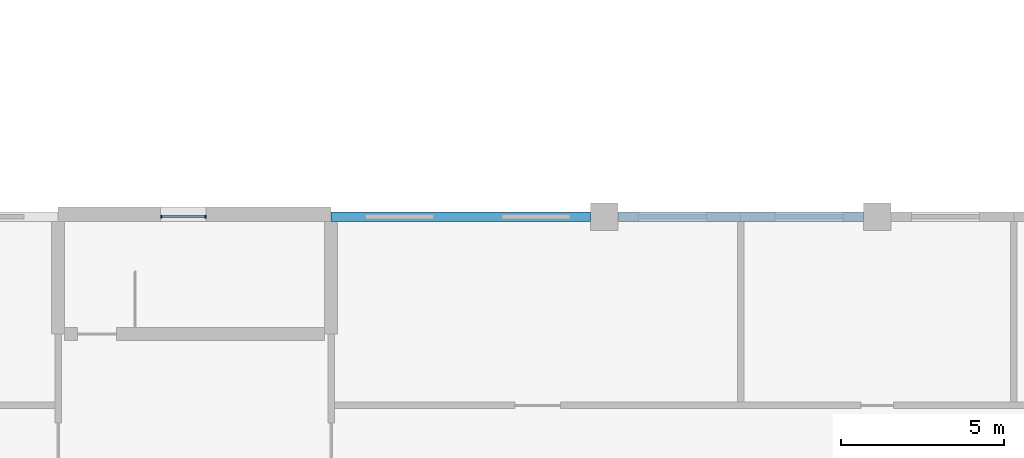
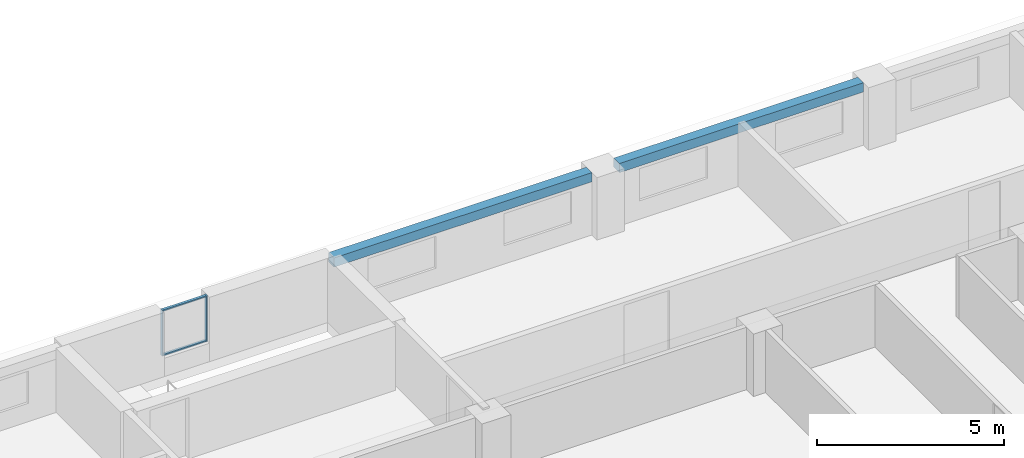
# One storey, part 7 of 48: 4 members, 2 beams, 1 element without a shape of its own.
"""IFC4 building model written with IfcOpenShell, lengths in metres."""

from ifc_helpers import new_model, si_unit, direction, frame, origin, origin_2d, place, context, subcontext, project, spatial, rectangle, extrude, material, material_profile, profile_set, type_object, element, aggregate, save


model = new_model("IFC4")

# Units and contexts
model_context = context("Model", 3, precision=1e-05, world=origin(), true_north=direction((0.0, 1.0)))
body_context = subcontext(model_context, "Body", "Model", "MODEL_VIEW")
ifc_project = project(units=[si_unit("LENGTHUNIT", "METRE"), si_unit("AREAUNIT", "SQUARE_METRE"), si_unit("VOLUMEUNIT", "CUBIC_METRE"), si_unit("PLANEANGLEUNIT", "RADIAN"), si_unit("MASSUNIT", "GRAM", prefix="KILO")], contexts=[model_context])

# Site, building, storey
site_placement = place(None, origin())
site = spatial("IfcSite", under=ifc_project, at=site_placement, CompositionType="ELEMENT")
building_placement = place(site_placement, origin())
building = spatial("IfcBuilding", under=site, at=building_placement, Name="Yavir Park General Hospital", CompositionType="ELEMENT")
storey_placement = place(building_placement, frame((0.0, 0.0, 12.89990234375)))
storey = spatial("IfcBuildingStorey", under=building, at=storey_placement, Name="I02", CompositionType="ELEMENT", Elevation=12.89990234375)

# Beams
ifc_material_1 = material(Name="Concrete C35/45", Category="concrete")
ifc_material_profile_1 = material_profile(ifc_material_1, rectangle(XDim=0.300048828125, YDim=0.300048828125, at=origin_2d()), Name="RC300x300")
ifc_profile_set_1 = profile_set([ifc_material_profile_1], Name="Concrete C35/45")
beam_type = type_object("IfcBeamType", Name="RC BEAM 300x300 edge beam", PredefinedType="BEAM", material=ifc_profile_set_1)
beam_1_placement = place(storey_placement, frame((42.0, 33.60009765625, 1.89013671875), z_axis=(1.0, 0.0, 0.0), x_axis=(0.0, 1.0, 0.0)))
element("IfcBeam", 1, at=beam_1_placement, inside=storey, type_object=beam_type, Name="B:EDGE:I02:017", PredefinedType="BEAM", context=body_context, shape_type="SweptSolid", body=[
    extrude(rectangle(XDim=0.300048828125, YDim=0.300048828125, at=origin_2d()), origin(), (0.0, 0.0, 1.0), 7.97509765625),
])
beam_2_placement = place(storey_placement, frame((50.824951171875, 33.60009765625, 1.89013671875), z_axis=(1.0, 0.0, 0.0), x_axis=(0.0, 1.0, 0.0)))
element("IfcBeam", 2, at=beam_2_placement, inside=storey, type_object=beam_type, Name="B:EDGE:I02:018", PredefinedType="BEAM", context=body_context, shape_type="SweptSolid", body=[
    extrude(rectangle(XDim=0.300048828125, YDim=0.300048828125, at=origin_2d()), origin(), (0.0, 0.0, 1.0), 7.550048828125),
])

# Curtain wall, members
ifc_material_2 = material(Name="Aluminium curtain wall frame with insulated glazing", Category="aluminium")
curtain_wall_type = type_object("IfcCurtainWallType", Name="Stair light slot, interstitial floor, 1500 high, 1400 module", PredefinedType="NOTDEFINED", material=ifc_material_2)
curtain_wall_placement = place(storey_placement, origin())
curtain_wall = element("IfcCurtainWall", 3, at=curtain_wall_placement, inside=storey, type_object=curtain_wall_type, Name="CW61 I02-005", PredefinedType="NOTDEFINED")
ifc_material_3 = material(Name="Aluminium", Category="aluminium")
ifc_material_profile_2 = material_profile(ifc_material_3, rectangle(XDim=0.10009765625, YDim=0.0400390625, at=origin_2d()), Name="AL 40x100")
ifc_profile_set_2 = profile_set([ifc_material_profile_2], Name="Aluminium")
member_type_1 = type_object("IfcMemberType", Name="Stair light slot, interstitial floor, 1500 high mullion 40 x 100", PredefinedType="MULLION", material=ifc_profile_set_2)
member_1_placement = place(storey_placement, frame((36.77001953125, 33.60009765625, 0.60009765625), z_axis=(0.0, 0.0, 1.0), x_axis=(0.0, 1.0, 0.0)))
member_1 = element("IfcMember", 4, at=member_1_placement, type_object=member_type_1, Name="CW61 mullion 1", PredefinedType="MULLION", context=body_context, shape_type="SweptSolid", body=[
    extrude(rectangle(XDim=0.10009765625, YDim=0.0400390625, at=origin_2d()), origin(), (0.0, 0.0, 1.0), 1.5),
])
member_2_placement = place(storey_placement, frame((38.1298828125, 33.60009765625, 0.60009765625), z_axis=(0.0, 0.0, 1.0), x_axis=(0.0, 1.0, 0.0)))
member_2 = element("IfcMember", 5, at=member_2_placement, type_object=member_type_1, Name="CW61 mullion 2", PredefinedType="MULLION", context=body_context, shape_type="SweptSolid", body=[
    extrude(rectangle(XDim=0.10009765625, YDim=0.0400390625, at=origin_2d()), origin(), (0.0, 0.0, 1.0), 1.5),
])
ifc_material_4 = material(Name="Aluminium", Category="aluminium")
ifc_material_profile_3 = material_profile(ifc_material_4, rectangle(XDim=0.080078125, YDim=0.0400390625, at=origin_2d()), Name="AL 80x40")
ifc_profile_set_3 = profile_set([ifc_material_profile_3], Name="Aluminium")
member_type_2 = type_object("IfcMemberType", Name="Stair light slot, interstitial floor, 1500 high transom 40 x 80", PredefinedType="MULLION", material=ifc_profile_set_3)
member_3_placement = place(storey_placement, frame((36.7900390625, 33.60009765625, 0.6201171875), z_axis=(1.0, 0.0, 0.0), x_axis=(0.0, 1.0, 0.0)))
member_3 = element("IfcMember", 6, at=member_3_placement, type_object=member_type_2, Name="CW61 transom 1.1", PredefinedType="MULLION", context=body_context, shape_type="SweptSolid", body=[
    extrude(rectangle(XDim=0.080078125, YDim=0.0400390625, at=origin_2d()), origin(), (0.0, 0.0, 1.0), 1.320068359375),
])
member_4_placement = place(storey_placement, frame((36.7900390625, 33.60009765625, 2.080078125), z_axis=(1.0, 0.0, 0.0), x_axis=(0.0, 1.0, 0.0)))
member_4 = element("IfcMember", 7, at=member_4_placement, type_object=member_type_2, Name="CW61 transom 1.2", PredefinedType="MULLION", context=body_context, shape_type="SweptSolid", body=[
    extrude(rectangle(XDim=0.080078125, YDim=0.0400390625, at=origin_2d()), origin(), (0.0, 0.0, 1.0), 1.320068359375),
])
aggregate(curtain_wall, [member_1, member_2, member_3, member_4])

save(model, "model.ifc")
